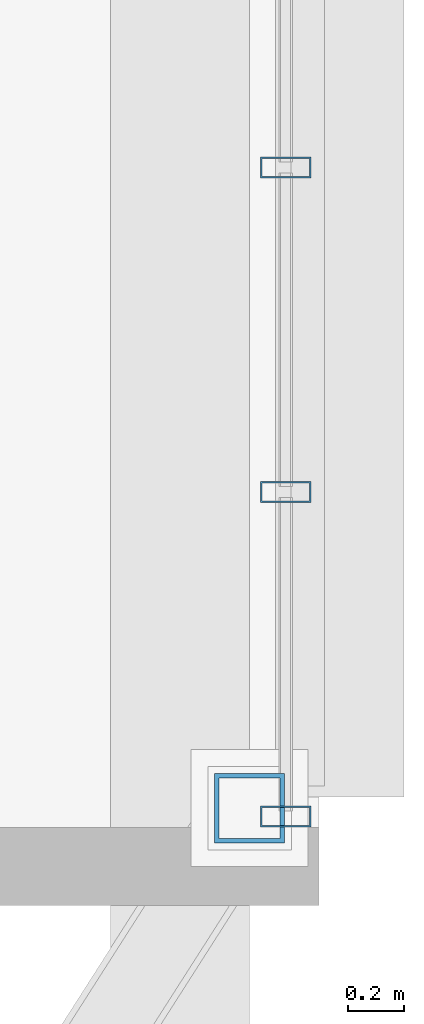
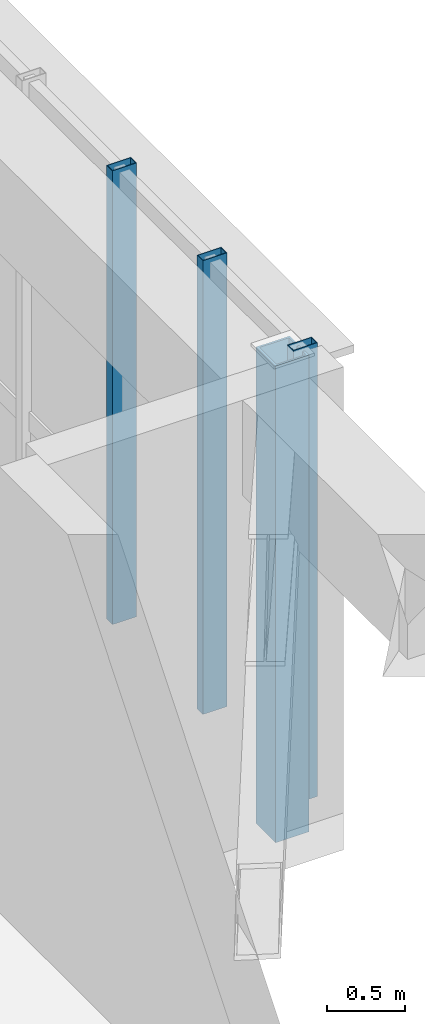
# One storey, part 6 of 16: 4 members, 1 element without a shape of its own.
"""IFC4 building model written with IfcOpenShell, lengths in metres."""

from ifc_helpers import new_model, si_unit, direction, frame, origin, origin_2d, place, context, subcontext, project, spatial, hollow_rectangle, extrude, material, material_profile, profile_set, type_object, element, aggregate, save


model = new_model("IFC4")

# Units and contexts
model_context = context("Model", 3, precision=1e-05, world=origin(), true_north=direction((0.0, 1.0)))
body_context = subcontext(model_context, "Body", "Model", "MODEL_VIEW")
ifc_project = project(units=[si_unit("LENGTHUNIT", "METRE"), si_unit("AREAUNIT", "SQUARE_METRE"), si_unit("VOLUMEUNIT", "CUBIC_METRE"), si_unit("PLANEANGLEUNIT", "RADIAN"), si_unit("MASSUNIT", "GRAM", prefix="KILO")], contexts=[model_context])

# Site, building, storey
site_placement = place(None, origin())
site = spatial("IfcSite", under=ifc_project, at=site_placement, CompositionType="ELEMENT")
building_placement = place(site_placement, origin())
building = spatial("IfcBuilding", under=site, at=building_placement, Name="Zulverin Broadcast Headquarters", CompositionType="ELEMENT")
storey_placement = place(building_placement, frame((0.0, 0.0, 228.800048828125)))
storey = spatial("IfcBuildingStorey", under=building, at=storey_placement, Name="L58", CompositionType="ELEMENT", Elevation=228.800048828125)

# Curtain wall, members
ifc_material_1 = material(Name="Acoustic triple-glazed studio box curtain wall", Category="aluminium")
curtain_wall_type = type_object("IfcCurtainWallType", Name="CW-SBOX", PredefinedType="USERDEFINED", material=ifc_material_1)
curtain_wall_placement = place(storey_placement, origin())
curtain_wall = element("IfcCurtainWall", 1, at=curtain_wall_placement, inside=storey, type_object=curtain_wall_type, Name="L58 Unitised Curtain Wall CW-L58-SBOX_SKY2_E-F", ObjectType="UNITISED CURTAIN WALL", PredefinedType="USERDEFINED")
ifc_material_2 = material(Name="Anodized pale-metal aluminium alloy 6063-T6", Category="aluminium")
ifc_material_profile_1 = material_profile(ifc_material_2, hollow_rectangle(XDim=0.074951171875, YDim=0.179931640625, WallThickness=0.0048828125, at=origin_2d()), Name="Anodized pale-metal aluminium alloy 6063-T6", Category="aluminium")
ifc_profile_set_1 = profile_set([ifc_material_profile_1], Name="Anodized pale-metal aluminium alloy 6063-T6")
member_type_1 = type_object("IfcMemberType", Name="CW-MUL-180", PredefinedType="MULLION", material=ifc_profile_set_1)
member_1_placement = place(storey_placement, frame((67.580078125, 22.31005859375, -0.030029296875), z_axis=(0.0, 0.0, 1.0), x_axis=(0.0, 1.0, 0.0)))
member_1 = element("IfcMember", 2, at=member_1_placement, type_object=member_type_1, Name="CW-L58-SBOX_SKY2_E-F Mullion 00", PredefinedType="MULLION", context=body_context, shape_type="SweptSolid", body=[
    extrude(hollow_rectangle(XDim=0.074951171875, YDim=0.179931640625, WallThickness=0.0048828125, at=origin_2d()), origin(), (0.0, 0.0, 1.0), 3.570068359375),
])
member_2_placement = place(storey_placement, frame((67.580078125, 23.4755859375, -0.030029296875), z_axis=(0.0, 0.0, 1.0), x_axis=(0.0, 1.0, 0.0)))
member_2 = element("IfcMember", 3, at=member_2_placement, type_object=member_type_1, Name="CW-L58-SBOX_SKY2_E-F Mullion 01", PredefinedType="MULLION", context=body_context, shape_type="SweptSolid", body=[
    extrude(hollow_rectangle(XDim=0.074951171875, YDim=0.179931640625, WallThickness=0.0048828125, at=origin_2d()), origin(), (0.0, 0.0, 1.0), 3.570068359375),
])
member_3_placement = place(storey_placement, frame((67.580078125, 24.641357421875, -0.030029296875), z_axis=(0.0, 0.0, 1.0), x_axis=(0.0, 1.0, 0.0)))
member_3 = element("IfcMember", 4, at=member_3_placement, type_object=member_type_1, Name="CW-L58-SBOX_SKY2_E-F Mullion 02", PredefinedType="MULLION", context=body_context, shape_type="SweptSolid", body=[
    extrude(hollow_rectangle(XDim=0.074951171875, YDim=0.179931640625, WallThickness=0.0048828125, at=origin_2d()), origin(), (0.0, 0.0, 1.0), 3.570068359375),
])
aggregate(curtain_wall, [member_1, member_2, member_3])

# Member
ifc_material_3 = material(Name="Structural steel S355JR", Category="steel")
ifc_material_profile_2 = material_profile(ifc_material_3, hollow_rectangle(XDim=0.25, YDim=0.25, WallThickness=0.01611328125, at=origin_2d()), Name="Structural steel S355JR", Category="steel")
ifc_profile_set_2 = profile_set([ifc_material_profile_2], Name="Structural steel S355JR")
member_type_2 = type_object("IfcMemberType", Name="MBR-BLT-POST", PredefinedType="POST", material=ifc_profile_set_2)
member_4_placement = place(storey_placement, frame((67.449951171875, 22.340087890625, -0.239990234375), z_axis=(0.0, 0.0, 1.0), x_axis=(1.0, 0.0, 0.0)))
element("IfcMember", 5, at=member_4_placement, inside=storey, type_object=member_type_2, Name="L58 Shifted Studio Box Frame Post SBOX_SKY2_E-1", PredefinedType="POST", context=body_context, shape_type="SweptSolid", body=[
    extrude(hollow_rectangle(XDim=0.25, YDim=0.25, WallThickness=0.01611328125, at=origin_2d()), origin(), (0.0, 0.0, 1.0), 3.75),
])

save(model, "model.ifc")
